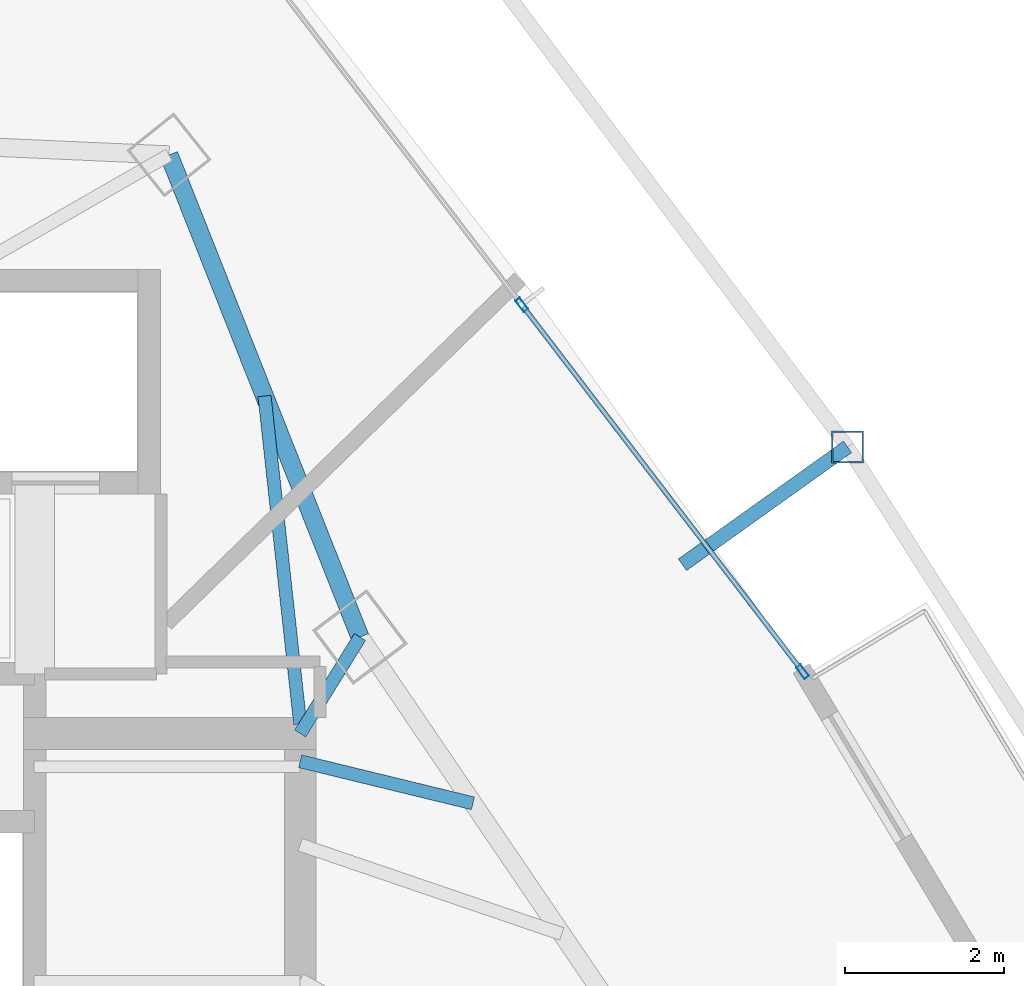
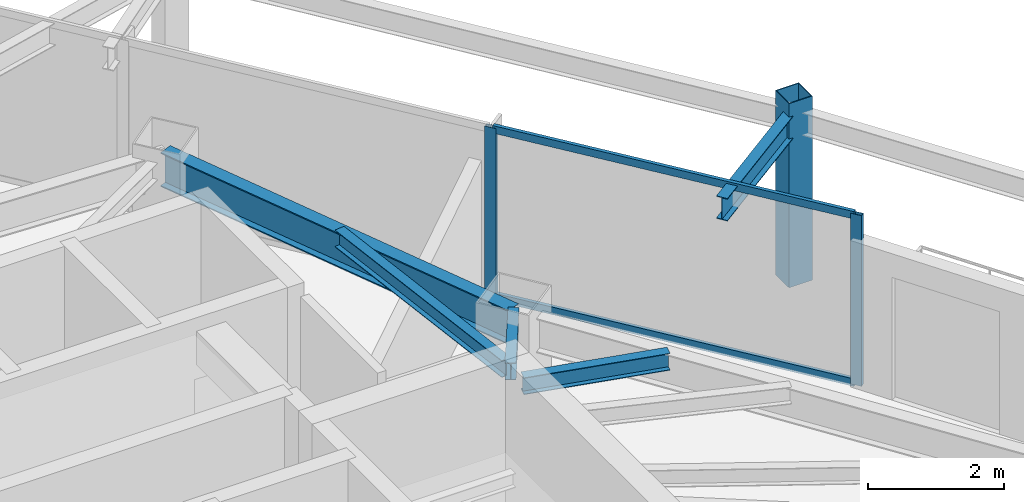
# One storey, part 22 of 31: 5 beams, 5 members, 1 element without a shape of its own.
"""IFC4 building model written with IfcOpenShell, lengths in metres."""

from ifc_helpers import new_model, si_unit, direction, frame, origin, origin_2d, place, context, subcontext, project, spatial, hollow_rectangle, i_section, extrude, material, layer, layer_set, material_profile, profile_set, type_object, element, aggregate, save


model = new_model("IFC4")

# Units and contexts
model_context = context("Model", 3, precision=1e-05, world=origin(), true_north=direction((0.0, 1.0)))
body_context = subcontext(model_context, "Body", "Model", "MODEL_VIEW")
ifc_project = project(units=[si_unit("LENGTHUNIT", "METRE"), si_unit("AREAUNIT", "SQUARE_METRE"), si_unit("VOLUMEUNIT", "CUBIC_METRE"), si_unit("PLANEANGLEUNIT", "RADIAN"), si_unit("MASSUNIT", "GRAM", prefix="KILO")], contexts=[model_context])

# Site, building, storey
site_placement = place(None, origin())
site = spatial("IfcSite", under=ifc_project, at=site_placement, CompositionType="ELEMENT")
building_placement = place(site_placement, origin())
building = spatial("IfcBuilding", under=site, at=building_placement, Name="Orvanel Arch Residences", CompositionType="ELEMENT")
storey_placement = place(building_placement, frame((0.0, 0.0, 110.0)))
storey = spatial("IfcBuildingStorey", under=building, at=storey_placement, Name="L30", CompositionType="ELEMENT", Elevation=110.0)

# Beams
ifc_material_1 = material(Name="Structural steel AS/NZS 3679.1 Grade 300 (300 MPa)", Category="steel")
ifc_material_profile_1 = material_profile(ifc_material_1, i_section(OverallWidth=0.1650390625, OverallDepth=0.303955078125, WebThickness=0.006103515625, FlangeThickness=0.01025390625, at=origin_2d()), Name="310UB40.4")
ifc_profile_set_1 = profile_set([ifc_material_profile_1], Name="Structural steel AS/NZS 3679.1 Grade 300 (300 MPa)")
beam_type_1 = type_object("IfcBeamType", Name="BJ-310UB", PredefinedType="JOIST", material=ifc_profile_set_1)
beam_1_placement = place(storey_placement, frame((39.60009765625, 33.89990234375, 2.907958984375), z_axis=(0.526843290616, 0.84996243866, 0.0), x_axis=(-0.84996243866, 0.526843290616, 0.0)))
element("IfcBeam", 1, at=beam_1_placement, inside=storey, type_object=beam_type_1, Name="L30 NNE Wing Floor Joist", PredefinedType="JOIST", context=body_context, shape_type="SweptSolid", body=[
    extrude(i_section(OverallWidth=0.1650390625, OverallDepth=0.303955078125, WebThickness=0.006103515625, FlangeThickness=0.01025390625, at=origin_2d()), origin(), (0.0, 0.0, 1.0), 1.42724609375),
])
beam_2_placement = place(storey_placement, frame((39.60009765625, 34.02001953125, 2.907958984375), z_axis=(-0.108261441852, 0.99412245735, 0.0), x_axis=(-0.99412245735, -0.108261441852, 0.0)))
element("IfcBeam", 2, at=beam_2_placement, inside=storey, type_object=beam_type_1, Name="L30 NNE2 Wing Floor Joist", PredefinedType="JOIST", context=body_context, shape_type="SweptSolid", body=[
    extrude(i_section(OverallWidth=0.1650390625, OverallDepth=0.303955078125, WebThickness=0.006103515625, FlangeThickness=0.01025390625, at=origin_2d()), origin(), (0.0, 0.0, 1.0), 4.1494140625),
])
beam_3_placement = place(storey_placement, frame((39.60009765625, 33.550048828125, 2.907958984375), z_axis=(0.971638471014, -0.236471312521, 0.0), x_axis=(0.236471312521, 0.971638471014, 0.0)))
element("IfcBeam", 3, at=beam_3_placement, inside=storey, type_object=beam_type_1, Name="L30 JADD4 Wing Floor Joist", PredefinedType="JOIST", context=body_context, shape_type="SweptSolid", body=[
    extrude(i_section(OverallWidth=0.1650390625, OverallDepth=0.303955078125, WebThickness=0.006103515625, FlangeThickness=0.01025390625, at=origin_2d()), origin(), (0.0, 0.0, 1.0), 2.2373046875),
])

# Curtain wall, members
ifc_material_2 = material(Name="Bronze-anodised aluminium AA6063-T6", Category="aluminium")
ifc_layer = layer(ifc_material_2, 0.179931640625)
ifc_layer_set = layer_set([ifc_layer], Name="Bronze-anodised aluminium AA6063-T6")
curtain_wall_type = type_object("IfcCurtainWallType", Name="CW3-MID-SYS", PredefinedType="NOTDEFINED", material=ifc_layer_set)
curtain_wall_placement = place(storey_placement, origin())
curtain_wall = element("IfcCurtainWall", 4, at=curtain_wall_placement, inside=storey, type_object=curtain_wall_type, Name="L30 CW3-MID-SYS Unitised Curtain Wall", PredefinedType="NOTDEFINED")
ifc_material_profile_2 = material_profile(ifc_material_2, hollow_rectangle(XDim=0.070068359375, YDim=0.179931640625, WallThickness=0.00439453125, at=origin_2d()), Name="ALU180x70x4.5")
ifc_profile_set_2 = profile_set([ifc_material_profile_2], Name="Bronze-anodised aluminium AA6063-T6")
member_type_1 = type_object("IfcMemberType", Name="MUL-180x70", PredefinedType="MULLION", material=ifc_profile_set_2)
member_1_placement = place(storey_placement, frame((45.921630859375, 34.677734375, 0.0), z_axis=(0.0, 0.0, 1.0), x_axis=(-0.794009853454, -0.607904887805, 0.0)))
member_1 = element("IfcMember", 5, at=member_1_placement, type_object=member_type_1, Name="CW-S3 mullion 1", PredefinedType="MULLION", context=body_context, shape_type="SweptSolid", body=[
    extrude(hollow_rectangle(XDim=0.070068359375, YDim=0.179931640625, WallThickness=0.00439453125, at=origin_2d()), origin(), (0.0, 0.0, 1.0), 3.06005859375),
])
member_2_placement = place(storey_placement, frame((42.387939453125, 39.293212890625, 0.0), z_axis=(0.0, 0.0, 1.0), x_axis=(-0.794009853454, -0.607904887805, 0.0)))
member_2 = element("IfcMember", 6, at=member_2_placement, type_object=member_type_1, Name="CW-S3 mullion 2", PredefinedType="MULLION", context=body_context, shape_type="SweptSolid", body=[
    extrude(hollow_rectangle(XDim=0.070068359375, YDim=0.179931640625, WallThickness=0.00439453125, at=origin_2d()), origin(), (0.0, 0.0, 1.0), 3.06005859375),
])

# Beams
ifc_material_profile_3 = material_profile(ifc_material_1, i_section(OverallWidth=0.177978515625, OverallDepth=0.406005859375, WebThickness=0.0078125, FlangeThickness=0.0126953125, at=origin_2d()), Name="410UB59.7")
ifc_profile_set_3 = profile_set([ifc_material_profile_3], Name="Structural steel AS/NZS 3679.1 Grade 300 (300 MPa)")
beam_type_2 = type_object("IfcBeamType", Name="OB-410UB-EXT", PredefinedType="SPANDREL", material=ifc_profile_set_3)
beam_4_placement = place(storey_placement, frame((44.409912109375, 36.02294921875, 2.85693359375), z_axis=(0.81392743492, 0.580966548679, 0.0), x_axis=(-0.580966548679, 0.81392743492, 0.0)))
element("IfcBeam", 7, at=beam_4_placement, inside=storey, type_object=beam_type_2, Name="L30 Outer Frame Radial Tie Beam 11", PredefinedType="SPANDREL", context=body_context, shape_type="SweptSolid", body=[
    extrude(i_section(OverallWidth=0.177978515625, OverallDepth=0.406005859375, WebThickness=0.0078125, FlangeThickness=0.0126953125, at=origin_2d()), origin(), (0.0, 0.0, 1.0), 2.55078125),
])
ifc_material_profile_4 = material_profile(ifc_material_1, i_section(OverallWidth=0.22900390625, OverallDepth=0.612060546875, WebThickness=0.011962890625, FlangeThickness=0.01953125, at=origin_2d()), Name="610UB125")
ifc_profile_set_4 = profile_set([ifc_material_profile_4], Name="Structural steel AS/NZS 3679.1 Grade 300 (300 MPa)")
beam_type_3 = type_object("IfcBeamType", Name="SP-610UB", PredefinedType="SPANDREL", material=ifc_profile_set_4)
beam_5_placement = place(storey_placement, frame((40.35205078125, 35.113037109375, 2.75390625), z_axis=(-0.368233143579, 0.929733484376, 0.0), x_axis=(-0.929733484376, -0.368233143579, 0.0)))
element("IfcBeam", 8, at=beam_5_placement, inside=storey, type_object=beam_type_3, Name="L30 Perimeter Spandrel Beam 13", PredefinedType="SPANDREL", context=body_context, shape_type="SweptSolid", body=[
    extrude(i_section(OverallWidth=0.22900390625, OverallDepth=0.612060546875, WebThickness=0.011962890625, FlangeThickness=0.01953125, at=origin_2d()), origin(), (0.0, 0.0, 1.0), 6.523193359375),
])

# Member
ifc_material_3 = material(Name="Structural steel AS/NZS 1163 C450L0 (Grade 450)", Category="steel")
ifc_material_profile_5 = material_profile(ifc_material_3, hollow_rectangle(XDim=0.39990234375, YDim=0.39990234375, WallThickness=0.01611328125, at=origin_2d()), Name="SHS400x400x16")
ifc_profile_set_5 = profile_set([ifc_material_profile_5], Name="Structural steel AS/NZS 1163 C450L0 (Grade 450)")
member_type_2 = type_object("IfcMemberType", Name="ST-400SHS-EXT", PredefinedType="STRUT", material=ifc_profile_set_5)
member_3_placement = place(storey_placement, frame((46.486083984375, 37.5048828125, 0.0), z_axis=(0.0, 0.0, 1.0), x_axis=(1.0, 0.0, 0.0)))
element("IfcMember", 9, at=member_3_placement, inside=storey, type_object=member_type_2, Name="L30 Outer Perimeter Frame Post 11", PredefinedType="STRUT", context=body_context, shape_type="SweptSolid", body=[
    extrude(hollow_rectangle(XDim=0.39990234375, YDim=0.39990234375, WallThickness=0.01611328125, at=origin_2d()), origin(), (0.0, 0.0, 1.0), 3.300048828125),
])

ifc_material_profile_6 = material_profile(ifc_material_2, hollow_rectangle(XDim=0.06005859375, YDim=0.135009765625, WallThickness=0.00390625, at=origin_2d()), Name="ALU135x60x4")
ifc_profile_set_6 = profile_set([ifc_material_profile_6], Name="Bronze-anodised aluminium AA6063-T6")
member_type_3 = type_object("IfcMemberType", Name="TRN-135x60", PredefinedType="USERDEFINED", material=ifc_profile_set_6)
member_4_placement = place(storey_placement, frame((45.900390625, 34.70556640625, 0.030029296875), z_axis=(-0.607901289978, 0.794012607987, 0.0), x_axis=(-0.794012607987, -0.607901289978, 0.0)))
member_4 = element("IfcMember", 10, at=member_4_placement, type_object=member_type_3, Name="CW-S3 transom 1.1", ObjectType="TRANSOM", PredefinedType="USERDEFINED", context=body_context, shape_type="SweptSolid", body=[
    extrude(hollow_rectangle(XDim=0.06005859375, YDim=0.135009765625, WallThickness=0.00390625, at=origin_2d()), origin(), (0.0, 0.0, 1.0), 5.7431640625),
])

member_5_placement = place(storey_placement, frame((45.900390625, 34.70556640625, 3.030029296875), z_axis=(-0.607901289978, 0.794012607987, 0.0), x_axis=(-0.794012607987, -0.607901289978, 0.0)))
member_5 = element("IfcMember", 11, at=member_5_placement, type_object=member_type_3, Name="CW-S3 transom 1.2", ObjectType="TRANSOM", PredefinedType="USERDEFINED", context=body_context, shape_type="SweptSolid", body=[
    extrude(hollow_rectangle(XDim=0.06005859375, YDim=0.135009765625, WallThickness=0.00390625, at=origin_2d()), origin(), (0.0, 0.0, 1.0), 5.7431640625),
])

aggregate(curtain_wall, [member_1, member_2, member_4, member_5])

save(model, "model.ifc")
